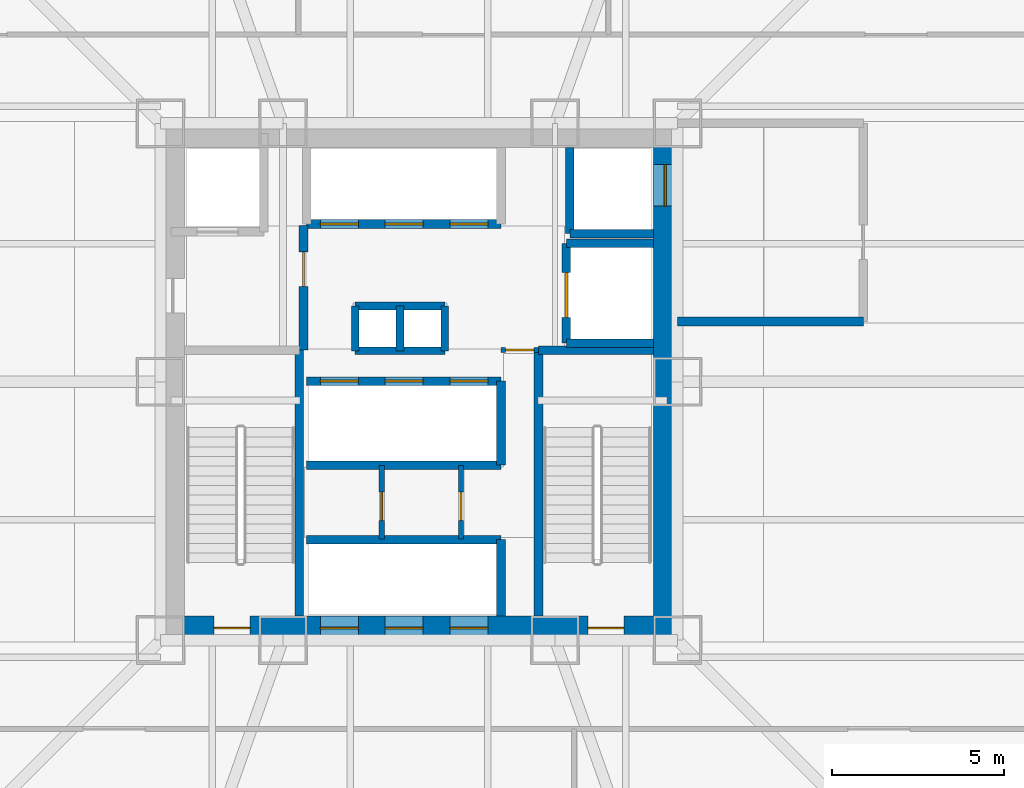
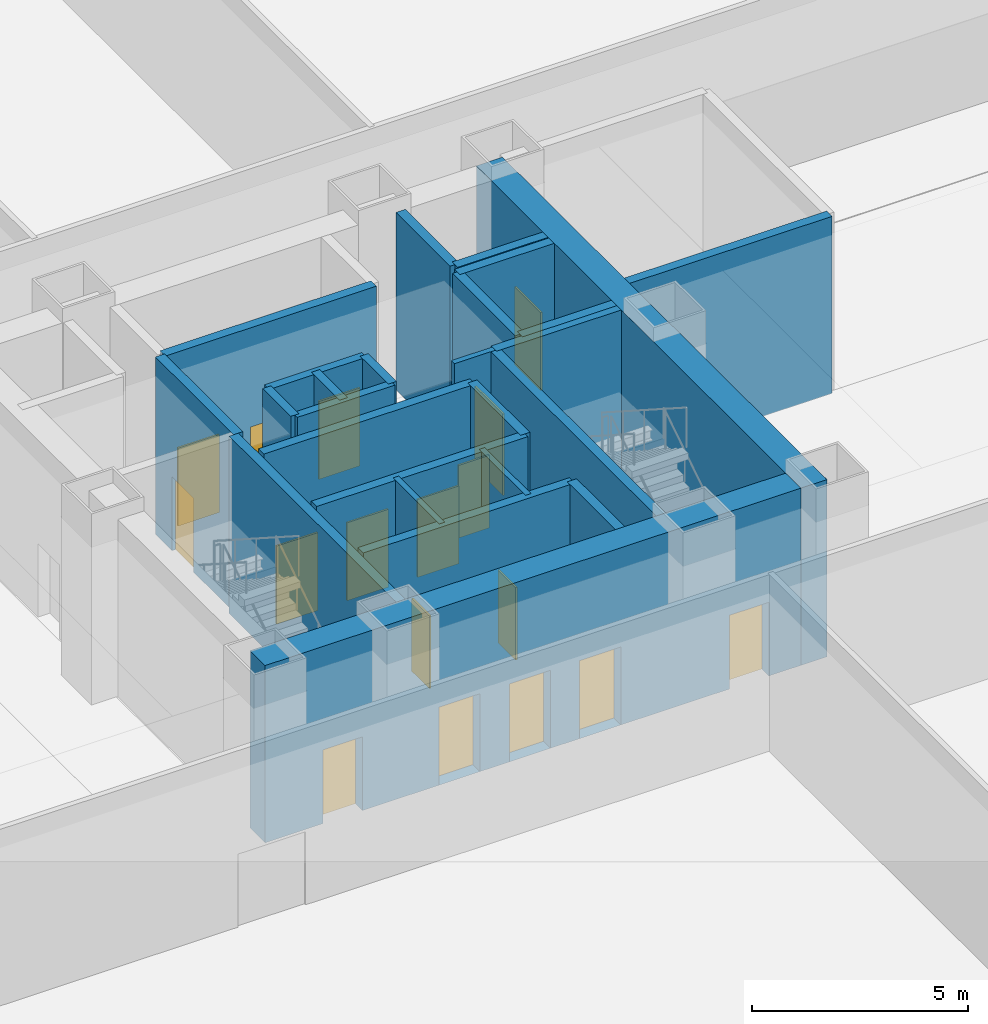
# One storey, part 22 of 36: 26 walls, 17 doors, 17 openings.
"""IFC4 building model written with IfcOpenShell, lengths in metres."""

from ifc_helpers import new_model, si_unit, direction, frame, frame_2d, origin, place, context, subcontext, project, spatial, rectangle, extrude, material, layer, layer_set, type_object, element, fill, save


model = new_model("IFC4")

# Units and contexts
model_context = context("Model", 3, precision=1e-05, world=origin(), true_north=direction((0.0, 1.0)))
body_context = subcontext(model_context, "Body", "Model", "MODEL_VIEW")
ifc_project = project(units=[si_unit("LENGTHUNIT", "METRE"), si_unit("AREAUNIT", "SQUARE_METRE"), si_unit("VOLUMEUNIT", "CUBIC_METRE"), si_unit("PLANEANGLEUNIT", "RADIAN"), si_unit("MASSUNIT", "GRAM", prefix="KILO")], contexts=[model_context])

# Site, building, storey
site_placement = place(None, origin())
site = spatial("IfcSite", under=ifc_project, at=site_placement, CompositionType="ELEMENT")
building_placement = place(site_placement, origin())
building = spatial("IfcBuilding", under=site, at=building_placement, Name="Trevonay Congress Spire", CompositionType="ELEMENT")
storey_placement = place(building_placement, frame((0.0, 0.0, 16.199951171875)))
storey = spatial("IfcBuildingStorey", under=building, at=storey_placement, Name="L03", CompositionType="ELEMENT", Elevation=16.199951171875)

# Wall, openings, doors
ifc_material_1 = material(Name="Concrete C60/75", Category="concrete")
ifc_layer_1 = layer(ifc_material_1, 0.699951171875, Name="Concrete C60/75")
ifc_layer_set_1 = layer_set([ifc_layer_1], Name="Concrete C60/75")
wall_type_1 = type_object("IfcWallType", Name="WAL-CORE-700", PredefinedType="SHEAR", material=ifc_layer_set_1)
wall_1_placement = place(storey_placement, frame((-7.5, -7.14990234375, 0.0), z_axis=(0.0, 0.0, 1.0), x_axis=(1.0, 0.0, 0.0)))
wall_1 = element("IfcWall", 1, at=wall_1_placement, inside=storey, type_object=wall_type_1, Name="L03 South structural core shear wall", PredefinedType="SHEAR", context=body_context, shape_type="SweptSolid", body=[
    extrude(rectangle(XDim=15.0, YDim=0.699951171875, at=frame_2d((7.5, 0.0))), origin(), (0.0, 0.0, 1.0), 5.0),
])
opening_1_placement = place(wall_1_placement, frame((1.550048828125, 0.0, 0.0)))
opening_1 = element("IfcOpeningElement", 2, at=opening_1_placement, cuts=wall_1, Name="Opening D05", PredefinedType="OPENING", context=body_context, shape_type="SweptSolid", body=[
    extrude(rectangle(XDim=1.050048828125, YDim=2.080078125, at=frame_2d((0.52490234375, 1.0400390625))), frame((0.0, 0.35986328125, 0.0), z_axis=(0.0, -1.0, 0.0), x_axis=(1.0, 0.0, 0.0)), (0.0, 0.0, 1.0), 0.719970703125),
])
opening_2_placement = place(wall_1_placement, frame((12.39990234375, 0.0, 0.0)))
opening_2 = element("IfcOpeningElement", 3, at=opening_2_placement, cuts=wall_1, Name="Opening D05", PredefinedType="OPENING", context=body_context, shape_type="SweptSolid", body=[
    extrude(rectangle(XDim=1.050048828125, YDim=2.080078125, at=frame_2d((0.52490234375, 1.0400390625))), frame((0.0, 0.35986328125, 0.0), z_axis=(0.0, -1.0, 0.0), x_axis=(1.0, 0.0, 0.0)), (0.0, 0.0, 1.0), 0.719970703125),
])
opening_3_placement = place(wall_1_placement, frame((4.639892578125, 0.0, 0.0)))
opening_3 = element("IfcOpeningElement", 4, at=opening_3_placement, cuts=wall_1, Name="Opening LD01", PredefinedType="OPENING", context=body_context, shape_type="SweptSolid", body=[
    extrude(rectangle(XDim=1.10009765625, YDim=2.199951171875, at=frame_2d((0.550048828125, 1.10009765625))), frame((0.0, 0.35986328125, 0.0), z_axis=(0.0, -1.0, 0.0), x_axis=(1.0, 0.0, 0.0)), (0.0, 0.0, 1.0), 0.719970703125),
])
opening_4_placement = place(wall_1_placement, frame((6.52001953125, 0.0, 0.0)))
opening_4 = element("IfcOpeningElement", 5, at=opening_4_placement, cuts=wall_1, Name="Opening LD01", PredefinedType="OPENING", context=body_context, shape_type="SweptSolid", body=[
    extrude(rectangle(XDim=1.10009765625, YDim=2.199951171875, at=frame_2d((0.550048828125, 1.10009765625))), frame((0.0, 0.35986328125, 0.0), z_axis=(0.0, -1.0, 0.0), x_axis=(1.0, 0.0, 0.0)), (0.0, 0.0, 1.0), 0.719970703125),
])
opening_5_placement = place(wall_1_placement, frame((8.39990234375, 0.0, 0.0)))
opening_5 = element("IfcOpeningElement", 6, at=opening_5_placement, cuts=wall_1, Name="Opening LD01", PredefinedType="OPENING", context=body_context, shape_type="SweptSolid", body=[
    extrude(rectangle(XDim=1.10009765625, YDim=2.199951171875, at=frame_2d((0.550048828125, 1.10009765625))), frame((0.0, 0.35986328125, 0.0), z_axis=(0.0, -1.0, 0.0), x_axis=(1.0, 0.0, 0.0)), (0.0, 0.0, 1.0), 0.719970703125),
])
ifc_material_2 = material(Name="Pale Anodised Aluminium EN AW-6063-T6", Category="aluminium")
door_type_1 = type_object("IfcDoorType", Name="DOR-LIFT-LD01", OperationType="DOUBLE_DOOR_SLIDING", PredefinedType="DOOR", material=ifc_material_2)
door_1_placement = place(opening_3_placement, origin())
door_1 = element("IfcDoor", 7, at=door_1_placement, inside=storey, type_object=door_type_1, Name="L03 Passenger lift PL-01 landing door", OperationType="DOUBLE_DOOR_SLIDING", OverallHeight=2.199951171875, OverallWidth=1.10009765625, PredefinedType="DOOR", context=body_context, shape_type="SweptSolid", body=[
    extrude(rectangle(XDim=1.10009765625, YDim=2.199951171875, at=frame_2d((0.550048828125, 1.10009765625))), frame((0.0, 0.02490234375, 0.0), z_axis=(0.0, -1.0, 0.0), x_axis=(1.0, 0.0, 0.0)), (0.0, 0.0, 1.0), 0.050048828125),
])
fill(opening_3, door_1)
door_2_placement = place(opening_4_placement, origin())
door_2 = element("IfcDoor", 8, at=door_2_placement, inside=storey, type_object=door_type_1, Name="L03 Passenger lift PL-02 landing door", OperationType="DOUBLE_DOOR_SLIDING", OverallHeight=2.199951171875, OverallWidth=1.10009765625, PredefinedType="DOOR", context=body_context, shape_type="SweptSolid", body=[
    extrude(rectangle(XDim=1.10009765625, YDim=2.199951171875, at=frame_2d((0.550048828125, 1.10009765625))), frame((0.0, 0.02490234375, 0.0), z_axis=(0.0, -1.0, 0.0), x_axis=(1.0, 0.0, 0.0)), (0.0, 0.0, 1.0), 0.050048828125),
])
fill(opening_4, door_2)
door_3_placement = place(opening_5_placement, origin())
door_3 = element("IfcDoor", 9, at=door_3_placement, inside=storey, type_object=door_type_1, Name="L03 Passenger lift PL-03 landing door", OperationType="DOUBLE_DOOR_SLIDING", OverallHeight=2.199951171875, OverallWidth=1.10009765625, PredefinedType="DOOR", context=body_context, shape_type="SweptSolid", body=[
    extrude(rectangle(XDim=1.10009765625, YDim=2.199951171875, at=frame_2d((0.550048828125, 1.10009765625))), frame((0.0, 0.02490234375, 0.0), z_axis=(0.0, -1.0, 0.0), x_axis=(1.0, 0.0, 0.0)), (0.0, 0.0, 1.0), 0.050048828125),
])
fill(opening_5, door_3)
ifc_material_3 = material(Name="Steel ASTM A572 Grade 50", Category="steel")
door_type_2 = type_object("IfcDoorType", Name="DOR-STAIR-110", OperationType="NOTDEFINED", PredefinedType="DOOR", material=ifc_material_3)
door_4_placement = place(opening_1_placement, origin())
door_4 = element("IfcDoor", 10, at=door_4_placement, inside=storey, type_object=door_type_2, Name="L03 Protected Stair ST-1 Door", OperationType="SINGLE_SWING_RIGHT", OverallHeight=2.080078125, OverallWidth=1.050048828125, PredefinedType="DOOR", context=body_context, shape_type="SweptSolid", body=[
    extrude(rectangle(XDim=1.050048828125, YDim=2.080078125, at=frame_2d((0.52490234375, 1.0400390625))), frame((0.0, 0.02490234375, 0.0), z_axis=(0.0, -1.0, 0.0), x_axis=(1.0, 0.0, 0.0)), (0.0, 0.0, 1.0), 0.050048828125),
])
fill(opening_1, door_4)
door_5_placement = place(opening_2_placement, origin())
door_5 = element("IfcDoor", 11, at=door_5_placement, inside=storey, type_object=door_type_2, Name="L03 Protected Stair ST-2 Door", OperationType="SINGLE_SWING_LEFT", OverallHeight=2.080078125, OverallWidth=1.050048828125, PredefinedType="DOOR", context=body_context, shape_type="SweptSolid", body=[
    extrude(rectangle(XDim=1.050048828125, YDim=2.080078125, at=frame_2d((0.52490234375, 1.0400390625))), frame((0.0, 0.02490234375, 0.0), z_axis=(0.0, -1.0, 0.0), x_axis=(1.0, 0.0, 0.0)), (0.0, 0.0, 1.0), 0.050048828125),
])
fill(opening_2, door_5)

# Wall, opening, door
wall_2_placement = place(storey_placement, frame((7.14990234375, -7.5, 0.0), z_axis=(0.0, 0.0, 1.0), x_axis=(0.0, 1.0, 0.0)))
wall_2 = element("IfcWall", 12, at=wall_2_placement, inside=storey, type_object=wall_type_1, Name="L03 East structural core shear wall", PredefinedType="SHEAR", context=body_context, shape_type="SweptSolid", body=[
    extrude(rectangle(XDim=15.0, YDim=0.699951171875, at=frame_2d((7.5, 0.0))), origin(), (0.0, 0.0, 1.0), 5.0),
])
opening_6_placement = place(wall_2_placement, frame((12.60009765625, 0.0, 0.0)))
opening_6 = element("IfcOpeningElement", 13, at=opening_6_placement, cuts=wall_2, Name="Opening LD04", PredefinedType="OPENING", context=body_context, shape_type="SweptSolid", body=[
    extrude(rectangle(XDim=1.199951171875, YDim=2.199951171875, at=frame_2d((0.60009765625, 1.10009765625))), frame((0.0, 0.35986328125, 0.0), z_axis=(0.0, -1.0, 0.0), x_axis=(1.0, 0.0, 0.0)), (0.0, 0.0, 1.0), 0.719970703125),
])
door_type_3 = type_object("IfcDoorType", Name="DOR-LIFT-LD04", OperationType="DOUBLE_DOOR_SLIDING", PredefinedType="DOOR", material=ifc_material_3)
door_6_placement = place(opening_6_placement, origin())
door_6 = element("IfcDoor", 14, at=door_6_placement, inside=storey, type_object=door_type_3, Name="L03 Firefighting lift FFL-02 landing door", OperationType="DOUBLE_DOOR_SLIDING", OverallHeight=2.199951171875, OverallWidth=1.199951171875, PredefinedType="DOOR", context=body_context, shape_type="SweptSolid", body=[
    extrude(rectangle(XDim=1.199951171875, YDim=2.199951171875, at=frame_2d((0.60009765625, 1.10009765625))), frame((0.0, 0.02490234375, 0.0), z_axis=(0.0, -1.0, 0.0), x_axis=(1.0, 0.0, 0.0)), (0.0, 0.0, 1.0), 0.050048828125),
])
fill(opening_6, door_6)

ifc_material_4 = material(Name="Concrete C40/50", Category="concrete")
ifc_layer_2 = layer(ifc_material_4, 0.14990234375, Name="Concrete C40/50")
ifc_layer_set_2 = layer_set([ifc_layer_2], Name="Concrete C40/50")
wall_type_2 = type_object("IfcWallType", Name="WAL-PART-150", PredefinedType="PARTITIONING", material=ifc_layer_set_2)
wall_3_placement = place(storey_placement, frame((2.3798828125, 0.919921875, 0.0), z_axis=(0.0, 0.0, 1.0), x_axis=(1.0, 0.0, 0.0)))
wall_3 = element("IfcWall", 15, at=wall_3_placement, inside=storey, type_object=wall_type_2, Name="L03 interior wall CW-CSRV-N-L03", PredefinedType="PARTITIONING", context=body_context, shape_type="SweptSolid", body=[
    extrude(rectangle(XDim=1.090087890625, YDim=0.14990234375, at=frame_2d((0.544921875, 0.0))), origin(), (0.0, 0.0, 1.0), 5.0),
])
opening_7_placement = place(wall_3_placement, frame((0.135009765625, 0.0, 0.0)))
opening_7 = element("IfcOpeningElement", 16, at=opening_7_placement, cuts=wall_3, Name="Opening D13", PredefinedType="OPENING", context=body_context, shape_type="SweptSolid", body=[
    extrude(rectangle(XDim=0.820068359375, YDim=2.050048828125, at=frame_2d((0.41015625, 1.02490234375))), frame((0.0, 0.0849609375, 0.0), z_axis=(0.0, -1.0, 0.0), x_axis=(1.0, 0.0, 0.0)), (0.0, 0.0, 1.0), 0.169921875),
])
door_type_4 = type_object("IfcDoorType", Name="DOR-UTIL-80", OperationType="NOTDEFINED", PredefinedType="DOOR", material=ifc_material_3)
door_7_placement = place(opening_7_placement, origin())
door_7 = element("IfcDoor", 17, at=door_7_placement, inside=storey, type_object=door_type_4, Name="L03 Core Service Pocket Door", OperationType="SINGLE_SWING_RIGHT", OverallHeight=2.050048828125, OverallWidth=0.820068359375, PredefinedType="DOOR", context=body_context, shape_type="SweptSolid", body=[
    extrude(rectangle(XDim=0.820068359375, YDim=2.050048828125, at=frame_2d((0.41015625, 1.02490234375))), frame((0.0, 0.02490234375, 0.0), z_axis=(0.0, -1.0, 0.0), x_axis=(1.0, 0.0, 0.0)), (0.0, 0.0, 1.0), 0.050048828125),
])
fill(opening_7, door_7)

wall_4_placement = place(storey_placement, frame((-1.080078125, -4.570068359375, 0.0), z_axis=(0.0, 0.0, 1.0), x_axis=(0.0, 1.0, 0.0)))
wall_4 = element("IfcWall", 18, at=wall_4_placement, inside=storey, type_object=wall_type_2, Name="L03 interior wall CW-K3-IT-L03", PredefinedType="PARTITIONING", context=body_context, shape_type="SweptSolid", body=[
    extrude(rectangle(XDim=2.14013671875, YDim=0.14990234375, at=frame_2d((1.070068359375, 0.0))), origin(), (0.0, 0.0, 1.0), 5.0),
])
opening_8_placement = place(wall_4_placement, frame((0.550048828125, 0.0, 0.0)))
opening_8 = element("IfcOpeningElement", 19, at=opening_8_placement, cuts=wall_4, Name="Opening D13", PredefinedType="OPENING", context=body_context, shape_type="SweptSolid", body=[
    extrude(rectangle(XDim=0.820068359375, YDim=2.050048828125, at=frame_2d((0.41015625, 1.02490234375))), frame((0.0, 0.0849609375, 0.0), z_axis=(0.0, -1.0, 0.0), x_axis=(1.0, 0.0, 0.0)), (0.0, 0.0, 1.0), 0.169921875),
])
door_8_placement = place(opening_8_placement, origin())
door_8 = element("IfcDoor", 20, at=door_8_placement, inside=storey, type_object=door_type_4, Name="L03 Core IT Door", OperationType="SINGLE_SWING_LEFT", OverallHeight=2.050048828125, OverallWidth=0.820068359375, PredefinedType="DOOR", context=body_context, shape_type="SweptSolid", body=[
    extrude(rectangle(XDim=0.820068359375, YDim=2.050048828125, at=frame_2d((0.41015625, 1.02490234375))), frame((0.0, 0.02490234375, 0.0), z_axis=(0.0, -1.0, 0.0), x_axis=(1.0, 0.0, 0.0)), (0.0, 0.0, 1.0), 0.050048828125),
])
fill(opening_8, door_8)

wall_5_placement = place(storey_placement, frame((1.219970703125, -4.570068359375, 0.0), z_axis=(0.0, 0.0, 1.0), x_axis=(0.0, 1.0, 0.0)))
wall_5 = element("IfcWall", 21, at=wall_5_placement, inside=storey, type_object=wall_type_2, Name="L03 interior wall CW-K3-JAN-L03", PredefinedType="PARTITIONING", context=body_context, shape_type="SweptSolid", body=[
    extrude(rectangle(XDim=2.14013671875, YDim=0.14990234375, at=frame_2d((1.070068359375, 0.0))), origin(), (0.0, 0.0, 1.0), 5.0),
])
opening_9_placement = place(wall_5_placement, frame((0.550048828125, 0.0, 0.0)))
opening_9 = element("IfcOpeningElement", 22, at=opening_9_placement, cuts=wall_5, Name="Opening D13", PredefinedType="OPENING", context=body_context, shape_type="SweptSolid", body=[
    extrude(rectangle(XDim=0.820068359375, YDim=2.050048828125, at=frame_2d((0.41015625, 1.02490234375))), frame((0.0, 0.0849609375, 0.0), z_axis=(0.0, -1.0, 0.0), x_axis=(1.0, 0.0, 0.0)), (0.0, 0.0, 1.0), 0.169921875),
])
door_9_placement = place(opening_9_placement, origin())
door_9 = element("IfcDoor", 23, at=door_9_placement, inside=storey, type_object=door_type_4, Name="L03 Core JAN Door", OperationType="SINGLE_SWING_RIGHT", OverallHeight=2.050048828125, OverallWidth=0.820068359375, PredefinedType="DOOR", context=body_context, shape_type="SweptSolid", body=[
    extrude(rectangle(XDim=0.820068359375, YDim=2.050048828125, at=frame_2d((0.41015625, 1.02490234375))), frame((0.0, 0.02490234375, 0.0), z_axis=(0.0, -1.0, 0.0), x_axis=(1.0, 0.0, 0.0)), (0.0, 0.0, 1.0), 0.050048828125),
])
fill(opening_9, door_9)

# Walls
ifc_layer_3 = layer(ifc_material_4, 0.219970703125, Name="Concrete C40/50")
ifc_layer_set_3 = layer_set([ifc_layer_3], Name="Concrete C40/50")
wall_type_3 = type_object("IfcWallType", Name="WAL-SHAFT-220", PredefinedType="PARTITIONING", material=ifc_layer_set_3)
for number, where, z_axis, x_axis, name in (
    (24, (-1.85009765625, 2.199951171875, 0.0), (0.0, 0.0, 1.0), (1.0, 0.0, 0.0), "L03 interior shaft wall WSH-L03-RSR-N"),
    (25, (-1.85009765625, 0.89990234375, 0.0), (0.0, 0.0, 1.0), (1.0, 0.0, 0.0), "L03 interior shaft wall WSH-L03-RSR-S"),
):
    element("IfcWall", number, at=place(storey_placement, frame(where, z_axis=z_axis, x_axis=x_axis)), inside=storey, type_object=wall_type_3, Name=name, PredefinedType="PARTITIONING", context=body_context, shape_type="SweptSolid", body=[
        extrude(rectangle(XDim=2.60009765625, YDim=0.219970703125, at=frame_2d((1.300048828125, 0.0))), origin(), (0.0, 0.0, 1.0), 5.0),
    ])
for number, where, z_axis, x_axis, name in (
    (26, (-0.550048828125, 0.89990234375, 0.0), (0.0, 0.0, 1.0), (0.0, 1.0, 0.0), "L03 interior shaft wall WSH-L03-RSR-M"),
    (27, (0.75, 0.89990234375, 0.0), (0.0, 0.0, 1.0), (0.0, 1.0, 0.0), "L03 interior shaft wall WSH-L03-RSR-E"),
    (28, (-1.85009765625, 0.89990234375, 0.0), (0.0, 0.0, 1.0), (0.0, 1.0, 0.0), "L03 interior shaft wall WSH-L03-RSR-W"),
):
    element("IfcWall", number, at=place(storey_placement, frame(where, z_axis=z_axis, x_axis=x_axis)), inside=storey, type_object=wall_type_3, Name=name, PredefinedType="PARTITIONING", context=body_context, shape_type="SweptSolid", body=[
        extrude(rectangle(XDim=1.300048828125, YDim=0.219970703125, at=frame_2d((0.64990234375, 0.0))), origin(), (0.0, 0.0, 1.0), 5.0),
    ])
ifc_layer_4 = layer(ifc_material_4, 0.25, Name="Concrete C40/50")
ifc_layer_set_4 = layer_set([ifc_layer_4], Name="Concrete C40/50")
wall_type_4 = type_object("IfcWallType", Name="WAL-SHAFT-250", PredefinedType="SHEAR", material=ifc_layer_set_4)
wall_6_placement = place(storey_placement, frame((-3.260009765625, -4.580078125, 0.0), z_axis=(0.0, 0.0, 1.0), x_axis=(1.0, 0.0, 0.0)))
element("IfcWall", 29, at=wall_6_placement, inside=storey, type_object=wall_type_4, Name="L03 interior shaft wall WSH-L03-B1-N", PredefinedType="SHEAR", context=body_context, shape_type="SweptSolid", body=[
    extrude(rectangle(XDim=5.639892578125, YDim=0.25, at=frame_2d((2.81982421875, 0.0))), origin(), (0.0, 0.0, 1.0), 5.0),
])
wall_7_placement = place(storey_placement, frame((2.3798828125, -6.800048828125, 0.0), z_axis=(0.0, 0.0, 1.0), x_axis=(0.0, 1.0, 0.0)))
element("IfcWall", 30, at=wall_7_placement, inside=storey, type_object=wall_type_4, Name="L03 interior shaft wall WSH-L03-B1-E", PredefinedType="SHEAR", context=body_context, shape_type="SweptSolid", body=[
    extrude(rectangle(XDim=2.219970703125, YDim=0.25, at=frame_2d((1.10986328125, 0.0))), origin(), (0.0, 0.0, 1.0), 5.0),
])

# Wall, openings, doors
wall_8_placement = place(storey_placement, frame((-3.260009765625, 0.02001953125, 0.0), z_axis=(0.0, 0.0, 1.0), x_axis=(1.0, 0.0, 0.0)))
wall_8 = element("IfcWall", 31, at=wall_8_placement, inside=storey, type_object=wall_type_4, Name="L03 interior shaft wall WSH-L03-B2-N", PredefinedType="SHEAR", context=body_context, shape_type="SweptSolid", body=[
    extrude(rectangle(XDim=5.639892578125, YDim=0.25, at=frame_2d((2.81982421875, 0.0))), origin(), (0.0, 0.0, 1.0), 5.0),
])
opening_10_placement = place(wall_8_placement, frame((0.39990234375, 0.0, 0.0)))
opening_10 = element("IfcOpeningElement", 32, at=opening_10_placement, cuts=wall_8, Name="Opening LD02", PredefinedType="OPENING", context=body_context, shape_type="SweptSolid", body=[
    extrude(rectangle(XDim=1.10009765625, YDim=2.199951171875, at=frame_2d((0.550048828125, 1.10009765625))), frame((0.0, 0.135009765625, 0.0), z_axis=(0.0, -1.0, 0.0), x_axis=(1.0, 0.0, 0.0)), (0.0, 0.0, 1.0), 0.27001953125),
])
opening_11_placement = place(wall_8_placement, frame((2.280029296875, 0.0, 0.0)))
opening_11 = element("IfcOpeningElement", 33, at=opening_11_placement, cuts=wall_8, Name="Opening LD02", PredefinedType="OPENING", context=body_context, shape_type="SweptSolid", body=[
    extrude(rectangle(XDim=1.10009765625, YDim=2.199951171875, at=frame_2d((0.550048828125, 1.10009765625))), frame((0.0, 0.135009765625, 0.0), z_axis=(0.0, -1.0, 0.0), x_axis=(1.0, 0.0, 0.0)), (0.0, 0.0, 1.0), 0.27001953125),
])
opening_12_placement = place(wall_8_placement, frame((4.159912109375, 0.0, 0.0)))
opening_12 = element("IfcOpeningElement", 34, at=opening_12_placement, cuts=wall_8, Name="Opening LD02", PredefinedType="OPENING", context=body_context, shape_type="SweptSolid", body=[
    extrude(rectangle(XDim=1.10009765625, YDim=2.199951171875, at=frame_2d((0.550048828125, 1.10009765625))), frame((0.0, 0.135009765625, 0.0), z_axis=(0.0, -1.0, 0.0), x_axis=(1.0, 0.0, 0.0)), (0.0, 0.0, 1.0), 0.27001953125),
])
door_type_5 = type_object("IfcDoorType", Name="DOR-LIFT-LD02", OperationType="DOUBLE_DOOR_SLIDING", PredefinedType="DOOR", material=ifc_material_2)
door_10_placement = place(opening_10_placement, origin())
door_10 = element("IfcDoor", 35, at=door_10_placement, inside=storey, type_object=door_type_5, Name="L03 Passenger lift PL-04 landing door", OperationType="DOUBLE_DOOR_SLIDING", OverallHeight=2.199951171875, OverallWidth=1.10009765625, PredefinedType="DOOR", context=body_context, shape_type="SweptSolid", body=[
    extrude(rectangle(XDim=1.10009765625, YDim=2.199951171875, at=frame_2d((0.550048828125, 1.10009765625))), frame((0.0, 0.02490234375, 0.0), z_axis=(0.0, -1.0, 0.0), x_axis=(1.0, 0.0, 0.0)), (0.0, 0.0, 1.0), 0.050048828125),
])
fill(opening_10, door_10)
door_11_placement = place(opening_11_placement, origin())
door_11 = element("IfcDoor", 36, at=door_11_placement, inside=storey, type_object=door_type_5, Name="L03 Passenger lift PL-05 landing door", OperationType="DOUBLE_DOOR_SLIDING", OverallHeight=2.199951171875, OverallWidth=1.10009765625, PredefinedType="DOOR", context=body_context, shape_type="SweptSolid", body=[
    extrude(rectangle(XDim=1.10009765625, YDim=2.199951171875, at=frame_2d((0.550048828125, 1.10009765625))), frame((0.0, 0.02490234375, 0.0), z_axis=(0.0, -1.0, 0.0), x_axis=(1.0, 0.0, 0.0)), (0.0, 0.0, 1.0), 0.050048828125),
])
fill(opening_11, door_11)
door_12_placement = place(opening_12_placement, origin())
door_12 = element("IfcDoor", 37, at=door_12_placement, inside=storey, type_object=door_type_5, Name="L03 Passenger lift PL-06 landing door", OperationType="DOUBLE_DOOR_SLIDING", OverallHeight=2.199951171875, OverallWidth=1.10009765625, PredefinedType="DOOR", context=body_context, shape_type="SweptSolid", body=[
    extrude(rectangle(XDim=1.10009765625, YDim=2.199951171875, at=frame_2d((0.550048828125, 1.10009765625))), frame((0.0, 0.02490234375, 0.0), z_axis=(0.0, -1.0, 0.0), x_axis=(1.0, 0.0, 0.0)), (0.0, 0.0, 1.0), 0.050048828125),
])
fill(opening_12, door_12)

# Walls
wall_9_placement = place(storey_placement, frame((-3.260009765625, -2.419921875, 0.0), z_axis=(0.0, 0.0, 1.0), x_axis=(1.0, 0.0, 0.0)))
element("IfcWall", 38, at=wall_9_placement, inside=storey, type_object=wall_type_4, Name="L03 interior shaft wall WSH-L03-B2-S", PredefinedType="SHEAR", context=body_context, shape_type="SweptSolid", body=[
    extrude(rectangle(XDim=5.639892578125, YDim=0.25, at=frame_2d((2.81982421875, 0.0))), origin(), (0.0, 0.0, 1.0), 5.0),
])
wall_10_placement = place(storey_placement, frame((2.3798828125, -2.419921875, 0.0), z_axis=(0.0, 0.0, 1.0), x_axis=(0.0, 1.0, 0.0)))
element("IfcWall", 39, at=wall_10_placement, inside=storey, type_object=wall_type_4, Name="L03 interior shaft wall WSH-L03-B2-E", PredefinedType="SHEAR", context=body_context, shape_type="SweptSolid", body=[
    extrude(rectangle(XDim=2.43994140625, YDim=0.25, at=frame_2d((1.219970703125, 0.0))), origin(), (0.0, 0.0, 1.0), 5.0),
])

# Wall, openings, doors
wall_11_placement = place(storey_placement, frame((-3.260009765625, 4.580078125, 0.0), z_axis=(0.0, 0.0, 1.0), x_axis=(1.0, 0.0, 0.0)))
wall_11 = element("IfcWall", 40, at=wall_11_placement, inside=storey, type_object=wall_type_4, Name="L03 interior shaft wall WSH-L03-B3-S", PredefinedType="SHEAR", context=body_context, shape_type="SweptSolid", body=[
    extrude(rectangle(XDim=5.639892578125, YDim=0.25, at=frame_2d((2.81982421875, 0.0))), origin(), (0.0, 0.0, 1.0), 5.0),
])
opening_13_placement = place(wall_11_placement, frame((0.39990234375, 0.0, 0.0)))
opening_13 = element("IfcOpeningElement", 41, at=opening_13_placement, cuts=wall_11, Name="Opening LD03", PredefinedType="OPENING", context=body_context, shape_type="SweptSolid", body=[
    extrude(rectangle(XDim=1.10009765625, YDim=2.199951171875, at=frame_2d((0.550048828125, 1.10009765625))), frame((0.0, 0.135009765625, 0.0), z_axis=(0.0, -1.0, 0.0), x_axis=(1.0, 0.0, 0.0)), (0.0, 0.0, 1.0), 0.27001953125),
])
opening_14_placement = place(wall_11_placement, frame((2.280029296875, 0.0, 0.0)))
opening_14 = element("IfcOpeningElement", 42, at=opening_14_placement, cuts=wall_11, Name="Opening LD03", PredefinedType="OPENING", context=body_context, shape_type="SweptSolid", body=[
    extrude(rectangle(XDim=1.10009765625, YDim=2.199951171875, at=frame_2d((0.550048828125, 1.10009765625))), frame((0.0, 0.135009765625, 0.0), z_axis=(0.0, -1.0, 0.0), x_axis=(1.0, 0.0, 0.0)), (0.0, 0.0, 1.0), 0.27001953125),
])
opening_15_placement = place(wall_11_placement, frame((4.159912109375, 0.0, 0.0)))
opening_15 = element("IfcOpeningElement", 43, at=opening_15_placement, cuts=wall_11, Name="Opening LD03", PredefinedType="OPENING", context=body_context, shape_type="SweptSolid", body=[
    extrude(rectangle(XDim=1.10009765625, YDim=2.199951171875, at=frame_2d((0.550048828125, 1.10009765625))), frame((0.0, 0.135009765625, 0.0), z_axis=(0.0, -1.0, 0.0), x_axis=(1.0, 0.0, 0.0)), (0.0, 0.0, 1.0), 0.27001953125),
])
door_type_6 = type_object("IfcDoorType", Name="DOR-LIFT-LD03", OperationType="DOUBLE_DOOR_SLIDING", PredefinedType="DOOR", material=ifc_material_2)
door_13_placement = place(opening_13_placement, origin())
door_13 = element("IfcDoor", 44, at=door_13_placement, inside=storey, type_object=door_type_6, Name="L03 Passenger lift PL-07 landing door", OperationType="DOUBLE_DOOR_SLIDING", OverallHeight=2.199951171875, OverallWidth=1.10009765625, PredefinedType="DOOR", context=body_context, shape_type="SweptSolid", body=[
    extrude(rectangle(XDim=1.10009765625, YDim=2.199951171875, at=frame_2d((0.550048828125, 1.10009765625))), frame((0.0, 0.02490234375, 0.0), z_axis=(0.0, -1.0, 0.0), x_axis=(1.0, 0.0, 0.0)), (0.0, 0.0, 1.0), 0.050048828125),
])
fill(opening_13, door_13)
door_14_placement = place(opening_14_placement, origin())
door_14 = element("IfcDoor", 45, at=door_14_placement, inside=storey, type_object=door_type_6, Name="L03 Passenger lift PL-08 landing door", OperationType="DOUBLE_DOOR_SLIDING", OverallHeight=2.199951171875, OverallWidth=1.10009765625, PredefinedType="DOOR", context=body_context, shape_type="SweptSolid", body=[
    extrude(rectangle(XDim=1.10009765625, YDim=2.199951171875, at=frame_2d((0.550048828125, 1.10009765625))), frame((0.0, 0.02490234375, 0.0), z_axis=(0.0, -1.0, 0.0), x_axis=(1.0, 0.0, 0.0)), (0.0, 0.0, 1.0), 0.050048828125),
])
fill(opening_14, door_14)
door_15_placement = place(opening_15_placement, origin())
door_15 = element("IfcDoor", 46, at=door_15_placement, inside=storey, type_object=door_type_6, Name="L03 Passenger lift PL-09 landing door", OperationType="DOUBLE_DOOR_SLIDING", OverallHeight=2.199951171875, OverallWidth=1.10009765625, PredefinedType="DOOR", context=body_context, shape_type="SweptSolid", body=[
    extrude(rectangle(XDim=1.10009765625, YDim=2.199951171875, at=frame_2d((0.550048828125, 1.10009765625))), frame((0.0, 0.02490234375, 0.0), z_axis=(0.0, -1.0, 0.0), x_axis=(1.0, 0.0, 0.0)), (0.0, 0.0, 1.0), 0.050048828125),
])
fill(opening_15, door_15)

# Walls
wall_12_placement = place(storey_placement, frame((4.3798828125, 4.300048828125, 0.0), z_axis=(0.0, 0.0, 1.0), x_axis=(1.0, 0.0, 0.0)))
element("IfcWall", 47, at=wall_12_placement, inside=storey, type_object=wall_type_4, Name="L03 interior shaft wall WSH-L03-FF2-S", PredefinedType="SHEAR", context=body_context, shape_type="SweptSolid", body=[
    extrude(rectangle(XDim=2.420166015625, YDim=0.25, at=frame_2d((1.2099609375, 0.0))), origin(), (0.0, 0.0, 1.0), 5.0),
])
wall_13_placement = place(storey_placement, frame((4.3798828125, 4.300048828125, 0.0), z_axis=(0.0, 0.0, 1.0), x_axis=(0.0, 1.0, 0.0)))
element("IfcWall", 48, at=wall_13_placement, inside=storey, type_object=wall_type_4, Name="L03 interior shaft wall WSH-L03-FF2-W", PredefinedType="SHEAR", context=body_context, shape_type="SweptSolid", body=[
    extrude(rectangle(XDim=2.5, YDim=0.25, at=frame_2d((1.25, 0.0))), origin(), (0.0, 0.0, 1.0), 5.0),
])

# Wall, opening, door
wall_14_placement = place(storey_placement, frame((4.280029296875, 1.1201171875, 0.0), z_axis=(0.0, 0.0, 1.0), x_axis=(0.0, 1.0, 0.0)))
wall_14 = element("IfcWall", 49, at=wall_14_placement, inside=storey, type_object=wall_type_4, Name="L03 interior shaft wall WSH-L03-SV-W", PredefinedType="SHEAR", context=body_context, shape_type="SweptSolid", body=[
    extrude(rectangle(XDim=2.89990234375, YDim=0.25, at=frame_2d((1.449951171875, 0.0))), origin(), (0.0, 0.0, 1.0), 5.0),
])
opening_16_placement = place(wall_14_placement, frame((0.75, 0.0, 0.0)))
opening_16 = element("IfcOpeningElement", 50, at=opening_16_placement, cuts=wall_14, Name="Opening LD05", PredefinedType="OPENING", context=body_context, shape_type="SweptSolid", body=[
    extrude(rectangle(XDim=1.300048828125, YDim=2.300048828125, at=frame_2d((0.64990234375, 1.14990234375))), frame((0.0, 0.135009765625, 0.0), z_axis=(0.0, -1.0, 0.0), x_axis=(1.0, 0.0, 0.0)), (0.0, 0.0, 1.0), 0.27001953125),
])
door_type_7 = type_object("IfcDoorType", Name="DOR-LIFT-LD05", OperationType="DOUBLE_DOOR_SLIDING", PredefinedType="DOOR", material=ifc_material_3)
door_16_placement = place(opening_16_placement, origin())
door_16 = element("IfcDoor", 51, at=door_16_placement, inside=storey, type_object=door_type_7, Name="L03 Goods lift SVL-01 landing door", OperationType="DOUBLE_DOOR_SLIDING", OverallHeight=2.300048828125, OverallWidth=1.300048828125, PredefinedType="DOOR", context=body_context, shape_type="SweptSolid", body=[
    extrude(rectangle(XDim=1.300048828125, YDim=2.300048828125, at=frame_2d((0.64990234375, 1.14990234375))), frame((0.0, 0.02490234375, 0.0), z_axis=(0.0, -1.0, 0.0), x_axis=(1.0, 0.0, 0.0)), (0.0, 0.0, 1.0), 0.050048828125),
])
fill(opening_16, door_16)

# Walls
for number, where, z_axis, x_axis, name in (
    (52, (4.280029296875, 1.1201171875, 0.0), (0.0, 0.0, 1.0), (1.0, 0.0, 0.0), "L03 interior shaft wall WSH-L03-SV-S"),
    (53, (4.280029296875, 4.02001953125, 0.0), (0.0, 0.0, 1.0), (1.0, 0.0, 0.0), "L03 interior shaft wall WSH-L03-SV-N"),
):
    element("IfcWall", number, at=place(storey_placement, frame(where, z_axis=z_axis, x_axis=x_axis)), inside=storey, type_object=wall_type_4, Name=name, PredefinedType="SHEAR", context=body_context, shape_type="SweptSolid", body=[
        extrude(rectangle(XDim=2.52001953125, YDim=0.25, at=frame_2d((1.260009765625, 0.0))), origin(), (0.0, 0.0, 1.0), 5.0),
    ])

# Wall, opening, door
wall_15_placement = place(storey_placement, frame((-3.35009765625, 0.919921875, 0.0), z_axis=(0.0, 0.0, 1.0), x_axis=(0.0, 1.0, 0.0)))
wall_15 = element("IfcWall", 54, at=wall_15_placement, inside=storey, type_object=wall_type_4, Name="L03 interior wall CW-FFLW-E-L03", PredefinedType="SHEAR", context=body_context, shape_type="SweptSolid", body=[
    extrude(rectangle(XDim=3.6201171875, YDim=0.25, at=frame_2d((1.81005859375, 0.0))), origin(), (0.0, 0.0, 1.0), 5.0),
])
opening_17_placement = place(wall_15_placement, frame((1.85009765625, 0.0, 0.0)))
opening_17 = element("IfcOpeningElement", 55, at=opening_17_placement, cuts=wall_15, Name="Opening D06", PredefinedType="OPENING", context=body_context, shape_type="SweptSolid", body=[
    extrude(rectangle(XDim=1.0, YDim=2.080078125, at=frame_2d((0.5, 1.0400390625))), frame((0.0, 0.135009765625, 0.0), z_axis=(0.0, -1.0, 0.0), x_axis=(1.0, 0.0, 0.0)), (0.0, 0.0, 1.0), 0.27001953125),
])
door_type_8 = type_object("IfcDoorType", Name="DOR-FIRE-100", OperationType="NOTDEFINED", PredefinedType="DOOR", material=ifc_material_3)
door_17_placement = place(opening_17_placement, origin())
door_17 = element("IfcDoor", 56, at=door_17_placement, inside=storey, type_object=door_type_8, Name="L03 Firefighting Core Lobby Transfer Door", OperationType="SINGLE_SWING_LEFT", OverallHeight=2.080078125, OverallWidth=1.0, PredefinedType="DOOR", context=body_context, shape_type="SweptSolid", body=[
    extrude(rectangle(XDim=1.0, YDim=2.080078125, at=frame_2d((0.5, 1.0400390625))), frame((0.0, 0.02490234375, 0.0), z_axis=(0.0, -1.0, 0.0), x_axis=(1.0, 0.0, 0.0)), (0.0, 0.0, 1.0), 0.050048828125),
])
fill(opening_17, door_17)

# Walls
wall_16_placement = place(storey_placement, frame((7.5, 1.75, 0.0), z_axis=(0.0, 0.0, 1.0), x_axis=(1.0, 0.0, 0.0)))
element("IfcWall", 57, at=wall_16_placement, inside=storey, type_object=wall_type_4, Name="L03 interior wall WP-L03-FFLE-S", PredefinedType="SHEAR", context=body_context, shape_type="SweptSolid", body=[
    extrude(rectangle(XDim=5.39990234375, YDim=0.25, at=frame_2d((2.699951171875, 0.0))), origin(), (0.0, 0.0, 1.0), 5.0),
])
ifc_layer_5 = layer(ifc_material_4, 0.25, Name="Concrete C40/50")
ifc_layer_set_5 = layer_set([ifc_layer_5], Name="Concrete C40/50")
wall_type_5 = type_object("IfcWallType", Name="WAL-SHAFT-LB-250", PredefinedType="SHEAR", material=ifc_layer_set_5)
for number, where, z_axis, x_axis, name in (
    (58, (-3.469970703125, -6.800048828125, 0.0), (0.0, 0.0, 1.0), (0.0, 1.0, 0.0), "L03 interior shaft wall WSH-L03-ST1-E"),
    (59, (3.469970703125, -6.800048828125, 0.0), (0.0, 0.0, 1.0), (0.0, 1.0, 0.0), "L03 interior shaft wall WSH-L03-ST2-W"),
):
    element("IfcWall", number, at=place(storey_placement, frame(where, z_axis=z_axis, x_axis=x_axis)), inside=storey, type_object=wall_type_5, Name=name, PredefinedType="SHEAR", context=body_context, shape_type="SweptSolid", body=[
        extrude(rectangle(XDim=7.719970703125, YDim=0.25, at=frame_2d((3.85986328125, 0.0))), origin(), (0.0, 0.0, 1.0), 5.0),
    ])
wall_17_placement = place(storey_placement, frame((3.469970703125, 0.919921875, 0.0), z_axis=(0.0, 0.0, 1.0), x_axis=(1.0, 0.0, 0.0)))
element("IfcWall", 60, at=wall_17_placement, inside=storey, type_object=wall_type_5, Name="L03 interior shaft wall WSH-L03-ST2-N", PredefinedType="SHEAR", context=body_context, shape_type="SweptSolid", body=[
    extrude(rectangle(XDim=3.330078125, YDim=0.25, at=frame_2d((1.6650390625, 0.0))), origin(), (0.0, 0.0, 1.0), 5.0),
])

save(model, "model.ifc")
